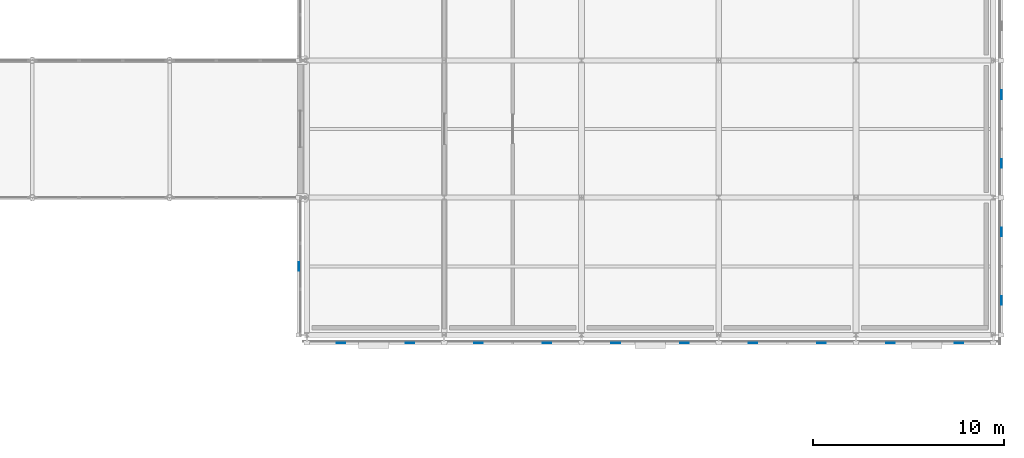
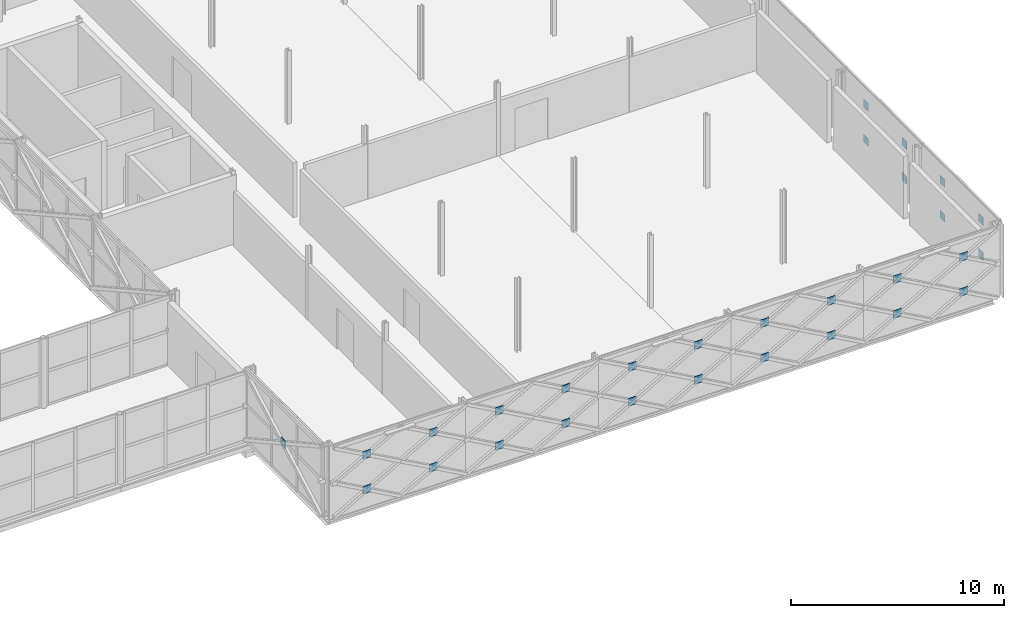
# One storey, part 97 of 126: 29 plates.
"""IFC4 building model written with IfcOpenShell, lengths in metres."""

from ifc_helpers import new_model, si_unit, direction, frame, origin, origin_2d, place, context, subcontext, project, spatial, rectangle, extrude, material, layer, layer_set, type_object, element, save


model = new_model("IFC4")

# Units and contexts
model_context = context("Model", 3, precision=1e-05, world=origin(), true_north=direction((0.0, 1.0)))
body_context = subcontext(model_context, "Body", "Model", "MODEL_VIEW")
ifc_project = project(units=[si_unit("LENGTHUNIT", "METRE"), si_unit("AREAUNIT", "SQUARE_METRE"), si_unit("VOLUMEUNIT", "CUBIC_METRE"), si_unit("PLANEANGLEUNIT", "RADIAN"), si_unit("MASSUNIT", "GRAM", prefix="KILO")], contexts=[model_context])

# Site, building, storey
site_placement = place(None, origin())
site = spatial("IfcSite", under=ifc_project, at=site_placement, CompositionType="ELEMENT")
building_placement = place(site_placement, origin())
building = spatial("IfcBuilding", under=site, at=building_placement, Name="Zlatovets Crest Museum", CompositionType="ELEMENT")
storey_placement = place(building_placement, frame((0.0, 0.0, 8.699951171875)))
storey = spatial("IfcBuildingStorey", under=building, at=storey_placement, Name="L02", CompositionType="ELEMENT", Elevation=8.699951171875)

# Plates
ifc_material = material(Name="Structural steel S355J2", Category="steel")
ifc_layer = layer(ifc_material, 0.02001953125)
ifc_layer_set = layer_set([ifc_layer], Name="Structural steel S355J2")
plate_type = type_object("IfcPlateType", Name="Gusset_GP-04", PredefinedType="USERDEFINED", material=ifc_layer_set)
for number, where, z_axis, x_axis, name in (
    (1, (131.39990234375, 13.97998046875, 0.875), (0.0, 0.0, 1.0), (1.0, 0.0, 0.0), "X-Brace Crossing Node Gusset Plate GP-04"),
    (2, (135.0, 13.97998046875, 0.875), (0.0, 0.0, 1.0), (1.0, 0.0, 0.0), "X-Brace Crossing Node Gusset Plate GP-04"),
    (3, (131.39990234375, 13.97998046875, 2.875), (0.0, 0.0, 1.0), (1.0, 0.0, 0.0), "X-Brace Crossing Node Gusset Plate GP-04"),
    (4, (135.0, 13.97998046875, 2.875), (0.0, 0.0, 1.0), (1.0, 0.0, 0.0), "X-Brace Crossing Node Gusset Plate GP-04"),
    (5, (138.60009765625, 13.97998046875, 0.875), (0.0, 0.0, 1.0), (1.0, 0.0, 0.0), "X-Brace Crossing Node Gusset Plate GP-04"),
    (6, (142.199951171875, 13.97998046875, 0.875), (0.0, 0.0, 1.0), (1.0, 0.0, 0.0), "X-Brace Crossing Node Gusset Plate GP-04"),
    (7, (138.60009765625, 13.97998046875, 2.875), (0.0, 0.0, 1.0), (1.0, 0.0, 0.0), "X-Brace Crossing Node Gusset Plate GP-04"),
    (8, (142.199951171875, 13.97998046875, 2.875), (0.0, 0.0, 1.0), (1.0, 0.0, 0.0), "X-Brace Crossing Node Gusset Plate GP-04"),
    (9, (145.800048828125, 13.97998046875, 0.875), (0.0, 0.0, 1.0), (1.0, 0.0, 0.0), "X-Brace Crossing Node Gusset Plate GP-04"),
    (10, (149.39990234375, 13.97998046875, 0.875), (0.0, 0.0, 1.0), (1.0, 0.0, 0.0), "X-Brace Crossing Node Gusset Plate GP-04"),
    (11, (145.800048828125, 13.97998046875, 2.875), (0.0, 0.0, 1.0), (1.0, 0.0, 0.0), "X-Brace Crossing Node Gusset Plate GP-04"),
    (12, (149.39990234375, 13.97998046875, 2.875), (0.0, 0.0, 1.0), (1.0, 0.0, 0.0), "X-Brace Crossing Node Gusset Plate GP-04"),
    (13, (153.0, 13.97998046875, 0.875), (0.0, 0.0, 1.0), (1.0, 0.0, 0.0), "X-Brace Crossing Node Gusset Plate GP-04"),
    (14, (156.60009765625, 13.97998046875, 0.875), (0.0, 0.0, 1.0), (1.0, 0.0, 0.0), "X-Brace Crossing Node Gusset Plate GP-04"),
    (15, (153.0, 13.97998046875, 2.875), (0.0, 0.0, 1.0), (1.0, 0.0, 0.0), "X-Brace Crossing Node Gusset Plate GP-04"),
    (16, (156.60009765625, 13.97998046875, 2.875), (0.0, 0.0, 1.0), (1.0, 0.0, 0.0), "X-Brace Crossing Node Gusset Plate GP-04"),
    (17, (160.199951171875, 13.97998046875, 0.875), (0.0, 0.0, 1.0), (1.0, 0.0, 0.0), "X-Brace Crossing Node Gusset Plate GP-04"),
    (18, (163.800048828125, 13.97998046875, 0.875), (0.0, 0.0, 1.0), (1.0, 0.0, 0.0), "X-Brace Crossing Node Gusset Plate GP-04"),
    (19, (160.199951171875, 13.97998046875, 2.875), (0.0, 0.0, 1.0), (1.0, 0.0, 0.0), "X-Brace Crossing Node Gusset Plate GP-04"),
    (20, (163.800048828125, 13.97998046875, 2.875), (0.0, 0.0, 1.0), (1.0, 0.0, 0.0), "X-Brace Crossing Node Gusset Plate GP-04"),
):
    element("IfcPlate", number, at=place(storey_placement, frame(where, z_axis=z_axis, x_axis=x_axis)), inside=storey, type_object=plate_type, Name=name, ObjectType="GUSSET", PredefinedType="USERDEFINED", context=body_context, shape_type="SweptSolid", body=[
        extrude(rectangle(XDim=0.449951171875, YDim=0.02001953125, at=origin_2d()), origin(), (0.0, 0.0, 1.0), 0.449951171875),
    ])
for number, where, z_axis, x_axis, name in (
    (21, (166.02001953125, 16.199951171875, 0.875), (0.0, 0.0, 1.0), (1.0, 0.0, 0.0), "X-Brace Crossing Node Gusset Plate GP-04"),
    (22, (166.02001953125, 19.800048828125, 0.875), (0.0, 0.0, 1.0), (1.0, 0.0, 0.0), "X-Brace Crossing Node Gusset Plate GP-04"),
    (23, (166.02001953125, 16.199951171875, 2.875), (0.0, 0.0, 1.0), (1.0, 0.0, 0.0), "X-Brace Crossing Node Gusset Plate GP-04"),
    (24, (166.02001953125, 19.800048828125, 2.875), (0.0, 0.0, 1.0), (1.0, 0.0, 0.0), "X-Brace Crossing Node Gusset Plate GP-04"),
    (25, (166.02001953125, 23.39990234375, 0.875), (0.0, 0.0, 1.0), (1.0, 0.0, 0.0), "X-Brace Crossing Node Gusset Plate GP-04"),
    (26, (166.02001953125, 27.0, 0.875), (0.0, 0.0, 1.0), (1.0, 0.0, 0.0), "X-Brace Crossing Node Gusset Plate GP-04"),
    (27, (166.02001953125, 23.39990234375, 2.875), (0.0, 0.0, 1.0), (1.0, 0.0, 0.0), "X-Brace Crossing Node Gusset Plate GP-04"),
    (28, (166.02001953125, 27.0, 2.875), (0.0, 0.0, 1.0), (1.0, 0.0, 0.0), "X-Brace Crossing Node Gusset Plate GP-04"),
    (29, (129.179931640625, 18.0, 1.875), (0.0, 0.0, 1.0), (1.0, 0.0, 0.0), "X-Brace Crossing Node Gusset Plate GP-04"),
):
    element("IfcPlate", number, at=place(storey_placement, frame(where, z_axis=z_axis, x_axis=x_axis)), inside=storey, type_object=plate_type, Name=name, ObjectType="GUSSET", PredefinedType="USERDEFINED", context=body_context, shape_type="SweptSolid", body=[
        extrude(rectangle(XDim=0.02001953125, YDim=0.449951171875, at=origin_2d()), origin(), (0.0, 0.0, 1.0), 0.449951171875),
    ])

save(model, "model.ifc")
